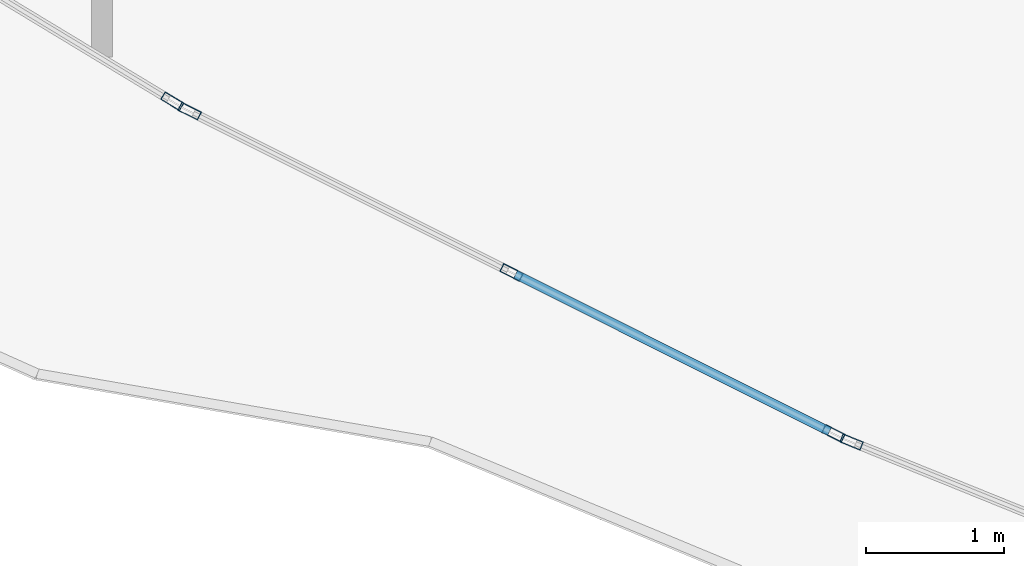
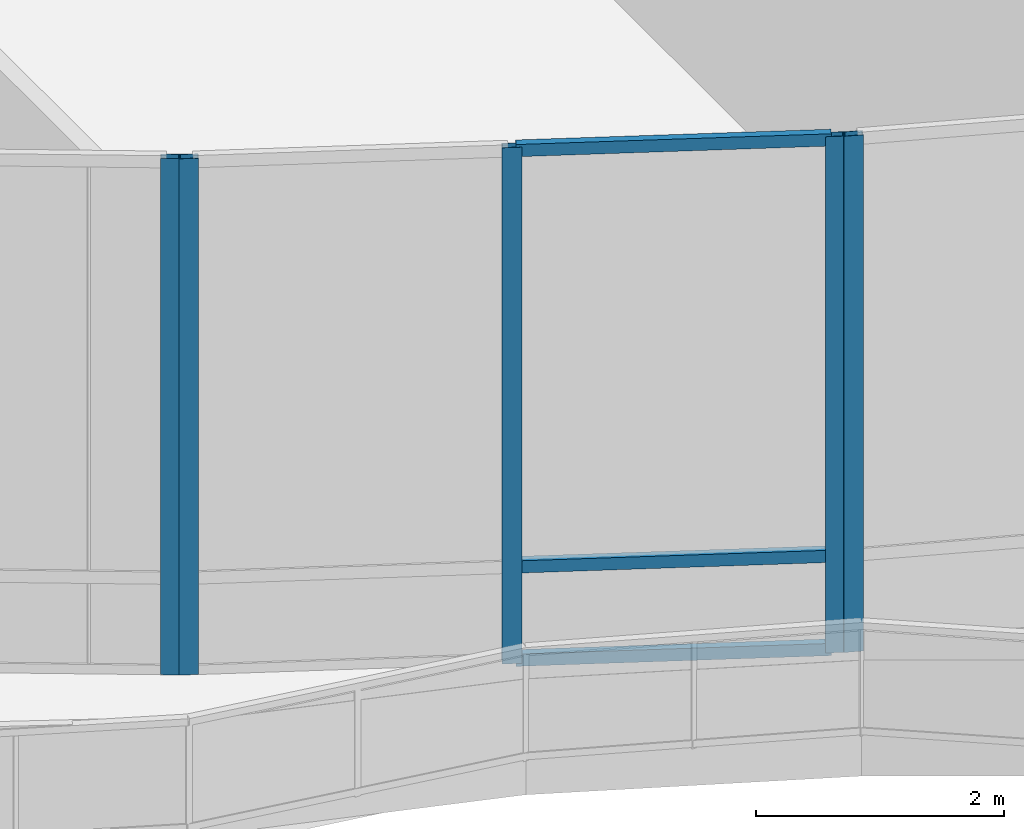
# One storey, part 18 of 158: 8 members, 3 elements without a shape of their own.
"""IFC4 building model written with IfcOpenShell, lengths in metres."""

from ifc_helpers import new_model, si_unit, direction, frame, origin, origin_2d, place, context, subcontext, project, spatial, hollow_rectangle, extrude, material, material_profile, profile_set, type_object, element, aggregate, save


model = new_model("IFC4")

# Units and contexts
model_context = context("Model", 3, precision=1e-05, world=origin(), true_north=direction((0.0, 1.0)))
body_context = subcontext(model_context, "Body", "Model", "MODEL_VIEW")
ifc_project = project(units=[si_unit("LENGTHUNIT", "METRE"), si_unit("AREAUNIT", "SQUARE_METRE"), si_unit("VOLUMEUNIT", "CUBIC_METRE"), si_unit("PLANEANGLEUNIT", "RADIAN"), si_unit("MASSUNIT", "GRAM", prefix="KILO")], contexts=[model_context])

# Site, building, storey
site_placement = place(None, origin())
site = spatial("IfcSite", under=ifc_project, at=site_placement, CompositionType="ELEMENT")
building_placement = place(site_placement, origin())
building = spatial("IfcBuilding", under=site, at=building_placement, Name="Selatvlak General Hospital", CompositionType="ELEMENT")
storey_placement = place(building_placement, origin())
storey = spatial("IfcBuildingStorey", under=building, at=storey_placement, Name="L00", CompositionType="ELEMENT", Elevation=0.0)

# Curtain wall, member
ifc_material_1 = material(Name="Solar-control Low-E double glazing", Category="glass")
curtain_wall_type_1 = type_object("IfcCurtainWallType", Name="CW-CW-01", PredefinedType="USERDEFINED", material=ifc_material_1)
curtain_wall_1_placement = place(storey_placement, origin())
curtain_wall_1 = element("IfcCurtainWall", 1, at=curtain_wall_1_placement, inside=storey, type_object=curtain_wall_type_1, Name="Glazed facade curtain wall CW-L00-0059", ObjectType="UNITISED CURTAIN WALL", PredefinedType="USERDEFINED")
ifc_material_2 = material(Name="Dark anodised aluminium mullion", Category="aluminium")
ifc_material_profile_1 = material_profile(ifc_material_2, hollow_rectangle(XDim=0.06494140625, YDim=0.159912109375, WallThickness=0.00390625, at=origin_2d()), Name="AL-MUL 65x160x4")
ifc_profile_set_1 = profile_set([ifc_material_profile_1], Name="Dark anodised aluminium mullion")
member_type_1 = type_object("IfcMemberType", Name="CWM-01", PredefinedType="MULLION", material=ifc_profile_set_1)
member_1_placement = place(storey_placement, frame((28.236083984375, 17.976806640625, 0.0), z_axis=(0.0, 0.0, 1.0), x_axis=(-0.375301112069, -0.926902948145, 0.0)))
member_1 = element("IfcMember", 2, at=member_1_placement, type_object=member_type_1, Name="CW-01 mullion 3", PredefinedType="MULLION", context=body_context, shape_type="SweptSolid", body=[
    extrude(hollow_rectangle(XDim=0.06494140625, YDim=0.159912109375, WallThickness=0.00390625, at=origin_2d()), origin(), (0.0, 0.0, 1.0), 5.080078125),
])
aggregate(curtain_wall_1, [member_1])

# Curtain wall, members
curtain_wall_type_2 = type_object("IfcCurtainWallType", Name="CW-CW-02", PredefinedType="USERDEFINED", material=ifc_material_1)
curtain_wall_2_placement = place(storey_placement, origin())
curtain_wall_2 = element("IfcCurtainWall", 3, at=curtain_wall_2_placement, inside=storey, type_object=curtain_wall_type_2, Name="Glazed facade curtain wall CW-L00-0060", ObjectType="UNITISED CURTAIN WALL", PredefinedType="USERDEFINED")
member_2_placement = place(storey_placement, frame((28.10498046875, 18.03857421875, 0.0), z_axis=(0.0, 0.0, 1.0), x_axis=(-0.44759190875, -0.894237934345, 0.0)))
member_2 = element("IfcMember", 4, at=member_2_placement, type_object=member_type_1, Name="CW-02 mullion 1", PredefinedType="MULLION", context=body_context, shape_type="SweptSolid", body=[
    extrude(hollow_rectangle(XDim=0.06494140625, YDim=0.159912109375, WallThickness=0.00390625, at=origin_2d()), origin(), (0.0, 0.0, 1.0), 5.080078125),
])
member_3_placement = place(storey_placement, frame((25.7705078125, 19.20703125, 0.0), z_axis=(0.0, 0.0, 1.0), x_axis=(-0.44759190875, -0.894237934345, 0.0)))
member_3 = element("IfcMember", 5, at=member_3_placement, type_object=member_type_1, Name="CW-02 mullion 2", PredefinedType="MULLION", context=body_context, shape_type="SweptSolid", body=[
    extrude(hollow_rectangle(XDim=0.06494140625, YDim=0.159912109375, WallThickness=0.00390625, at=origin_2d()), origin(), (0.0, 0.0, 1.0), 5.080078125),
])
member_4_placement = place(storey_placement, frame((23.43603515625, 20.37548828125, 0.0), z_axis=(0.0, 0.0, 1.0), x_axis=(-0.44759190875, -0.894237934345, 0.0)))
member_4 = element("IfcMember", 6, at=member_4_placement, type_object=member_type_1, Name="CW-02 mullion 3", PredefinedType="MULLION", context=body_context, shape_type="SweptSolid", body=[
    extrude(hollow_rectangle(XDim=0.06494140625, YDim=0.159912109375, WallThickness=0.00390625, at=origin_2d()), origin(), (0.0, 0.0, 1.0), 5.080078125),
])

# Curtain wall, member
curtain_wall_3_placement = place(storey_placement, origin())
curtain_wall_3 = element("IfcCurtainWall", 7, at=curtain_wall_3_placement, inside=storey, type_object=curtain_wall_type_1, Name="Glazed facade curtain wall CW-L00-0061", ObjectType="UNITISED CURTAIN WALL", PredefinedType="USERDEFINED")
member_5_placement = place(storey_placement, frame((23.310302734375, 20.44775390625, 0.0), z_axis=(0.0, 0.0, 1.0), x_axis=(-0.517412897815, -0.855735878163, 0.0)))
member_5 = element("IfcMember", 8, at=member_5_placement, type_object=member_type_1, Name="CW-01 mullion 1", PredefinedType="MULLION", context=body_context, shape_type="SweptSolid", body=[
    extrude(hollow_rectangle(XDim=0.06494140625, YDim=0.159912109375, WallThickness=0.00390625, at=origin_2d()), origin(), (0.0, 0.0, 1.0), 5.080078125),
])
aggregate(curtain_wall_3, [member_5])

# Member
ifc_material_profile_2 = material_profile(ifc_material_2, hollow_rectangle(XDim=0.06494140625, YDim=0.1201171875, WallThickness=0.00390625, at=origin_2d()), Name="AL-TRN 65x120x4")
ifc_profile_set_2 = profile_set([ifc_material_profile_2], Name="Dark anodised aluminium mullion")
member_type_2 = type_object("IfcMemberType", Name="CWT-01", PredefinedType="USERDEFINED", material=ifc_profile_set_2)
member_6_placement = place(storey_placement, frame((28.075927734375, 18.052978515625, 0.032470703125), z_axis=(-0.894235295067, 0.44759718169, 0.0), x_axis=(-0.44759718169, -0.894235295067, 0.0)))
member_6 = element("IfcMember", 9, at=member_6_placement, type_object=member_type_2, Name="CW-02 transom 1.1", ObjectType="TRANSOM", PredefinedType="USERDEFINED", context=body_context, shape_type="SweptSolid", body=[
    extrude(hollow_rectangle(XDim=0.06494140625, YDim=0.1201171875, WallThickness=0.00390625, at=origin_2d()), origin(), (0.0, 0.0, 1.0), 2.545654296875),
])

member_7_placement = place(storey_placement, frame((28.075927734375, 18.052978515625, 0.949951171875), z_axis=(-0.894235295067, 0.44759718169, 0.0), x_axis=(-0.44759718169, -0.894235295067, 0.0)))
member_7 = element("IfcMember", 10, at=member_7_placement, type_object=member_type_2, Name="CW-02 transom 1.2", ObjectType="TRANSOM", PredefinedType="USERDEFINED", context=body_context, shape_type="SweptSolid", body=[
    extrude(hollow_rectangle(XDim=0.06494140625, YDim=0.1201171875, WallThickness=0.00390625, at=origin_2d()), origin(), (0.0, 0.0, 1.0), 2.545654296875),
])

member_8_placement = place(storey_placement, frame((28.075927734375, 18.052978515625, 5.047607421875), z_axis=(-0.894235295067, 0.44759718169, 0.0), x_axis=(-0.44759718169, -0.894235295067, 0.0)))
member_8 = element("IfcMember", 11, at=member_8_placement, type_object=member_type_2, Name="CW-02 transom 1.3", ObjectType="TRANSOM", PredefinedType="USERDEFINED", context=body_context, shape_type="SweptSolid", body=[
    extrude(hollow_rectangle(XDim=0.06494140625, YDim=0.1201171875, WallThickness=0.00390625, at=origin_2d()), origin(), (0.0, 0.0, 1.0), 2.545654296875),
])

aggregate(curtain_wall_2, [member_2, member_3, member_4, member_6, member_7, member_8])

save(model, "model.ifc")
